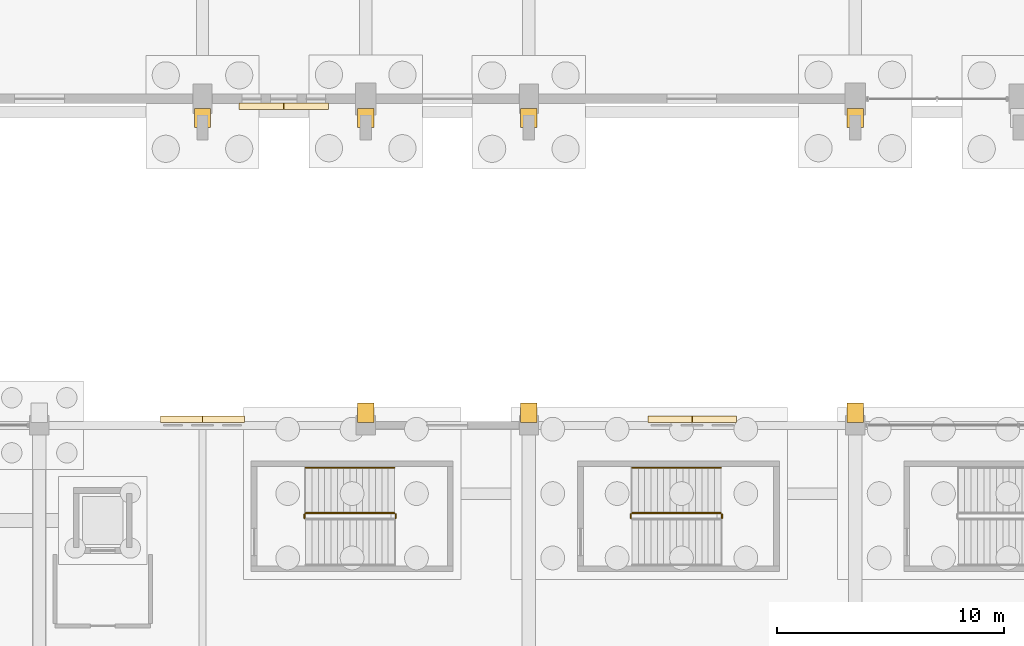
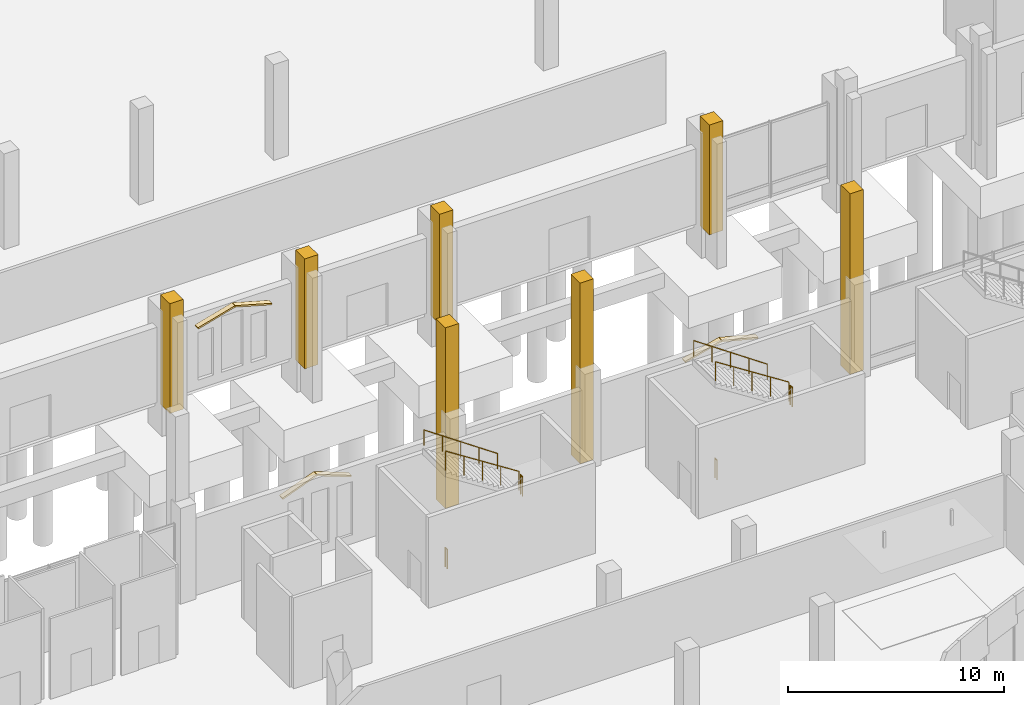
# One storey, part 176 of 192: 13 coverings, 8 railings.
"""IFC4 building model written with IfcOpenShell, lengths in metres."""

import ifcopenshell
import ifcopenshell.guid

model = None  # the IFC model being written
_history = None  # IfcOwnerHistory: only IFC2X3 demands one
_inside = {}  # id of a spatial element -> (the spatial element, [elements in it])
_under = {}  # id of a project, library or spatial element -> (it, [spatial elements below it])
_declared = {}  # id of a project -> (the project, [libraries it declares])
_typed = {}  # id of a type object -> (the type object, [elements of that type])
_made_of = {}  # id of a material, layer set ... -> (it, [elements and type objects made of it])


def new_model(schema):
    """Start an empty IFC model of exactly this schema.

    Asked for "IFC4X3", IfcOpenShell would pick the latest addendum, in which some entities
    have other attributes; the version numbers below select the first issue.
    IFC2X3 requires an IfcOwnerHistory on every rooted entity: one is made here for all.
    """
    global model, _history
    if schema == "IFC4X3":
        model = ifcopenshell.file(schema_version=(4, 3, 0, 0))
    else:
        model = ifcopenshell.file(schema=schema)
    _inside.clear()
    _under.clear()
    _declared.clear()
    _typed.clear()
    _made_of.clear()
    _history = None
    if model.schema == "IFC2X3":
        org = make("IfcOrganization", Name="unknown")
        user = make(
            "IfcPersonAndOrganization",
            ThePerson=make("IfcPerson", FamilyName="unknown"),
            TheOrganization=org,
        )
        app = make(
            "IfcApplication",
            ApplicationDeveloper=org,
            Version="unknown",
            ApplicationFullName="unknown",
            ApplicationIdentifier="unknown",
        )
        _history = make(
            "IfcOwnerHistory",
            OwningUser=user,
            OwningApplication=app,
            ChangeAction="ADDED",
            CreationDate=0,
        )
    return model


def make(cls, **values):
    """One entity of the class cls with the attributes given. An attribute that is None is left unset."""
    return model.create_entity(
        cls, **{name: value for name, value in values.items() if value is not None}
    )


def rooted(cls, **values):
    """An entity with a GlobalId (a new one), such as an element, a storey or a relation."""
    return make(cls, GlobalId=ifcopenshell.guid.new(), OwnerHistory=_history, **values)


def si_unit(unit_type, name, prefix=None):
    """IfcSIUnit, for example si_unit("LENGTHUNIT", "METRE", prefix="MILLI")."""
    return make("IfcSIUnit", UnitType=unit_type, Prefix=prefix, Name=name)


def assignment(units):
    """IfcUnitAssignment: the units of a project."""
    return None if units is None else make("IfcUnitAssignment", Units=units)


def point(xyz):
    """IfcCartesianPoint."""
    return None if xyz is None else make("IfcCartesianPoint", Coordinates=xyz)


def direction(xyz):
    """IfcDirection."""
    return None if xyz is None else make("IfcDirection", DirectionRatios=xyz)


def frame(location, z_axis=None, x_axis=None):
    """IfcAxis2Placement3D, a coordinate frame: its origin and axes. An axis left out is left unset."""
    return make(
        "IfcAxis2Placement3D",
        Location=point(location),
        Axis=direction(z_axis),
        RefDirection=direction(x_axis),
    )


def frame_2d(location, x_axis=None):
    """IfcAxis2Placement2D, a coordinate frame in the plane: its origin and x axis."""
    return make(
        "IfcAxis2Placement2D", Location=point(location), RefDirection=direction(x_axis)
    )


def origin():
    """The frame at (0, 0, 0) with its axes left unset."""
    return frame((0.0, 0.0, 0.0))


def origin_2d():
    """The frame at (0, 0) in the plane with its x axis left unset."""
    return frame_2d((0.0, 0.0))


def place(relative_to, where):
    """IfcLocalPlacement: puts the frame where relative to a parent placement (None: the world)."""
    return make(
        "IfcLocalPlacement", PlacementRelTo=relative_to, RelativePlacement=where
    )


def context(
    kind, dimensions, precision=None, world=None, true_north=None, identifier=None
):
    """IfcGeometricRepresentationContext, for example the 3D "Model" context."""
    return make(
        "IfcGeometricRepresentationContext",
        ContextIdentifier=identifier,
        ContextType=kind,
        CoordinateSpaceDimension=dimensions,
        Precision=precision,
        WorldCoordinateSystem=world,
        TrueNorth=true_north,
    )


def subcontext(parent, identifier, kind, view, scale=None):
    """IfcGeometricRepresentationSubContext, for example "Body" below "Model"."""
    return make(
        "IfcGeometricRepresentationSubContext",
        ContextIdentifier=identifier,
        ContextType=kind,
        ParentContext=parent,
        TargetScale=scale,
        TargetView=view,
    )


def project(units=None, contexts=None):
    """IfcProject with its units and contexts."""
    return rooted(
        "IfcProject",
        Name="project",
        RepresentationContexts=contexts,
        UnitsInContext=assignment(units),
    )


def spatial(cls, under=None, at=None, **own):
    """A site, building, storey or space (cls), placed at a placement, below another one or the project."""
    s = rooted(cls, ObjectPlacement=at, **own)
    if under is not None:
        _under.setdefault(under.id(), (under, []))[1].append(s)
    return s


def polyline(points):
    """IfcPolyline through the points."""
    return make("IfcPolyline", Points=[point(p) for p in points])


def profile(cls, at=None, kind="AREA", **sizes):
    """A parametric profile (cls). Its sizes go by their IFC names, for example OverallWidth=200.0."""
    return make(cls, ProfileType=kind, Position=at, **sizes)


def circle(**sizes):
    """IfcCircleProfileDef."""
    return profile("IfcCircleProfileDef", **sizes)


def outline(outer, holes=None, kind="AREA"):
    """IfcArbitraryClosedProfileDef: a profile drawn as a closed curve; with holes, ...WithVoids."""
    if holes is None:
        return make("IfcArbitraryClosedProfileDef", ProfileType=kind, OuterCurve=outer)
    return make(
        "IfcArbitraryProfileDefWithVoids",
        ProfileType=kind,
        OuterCurve=outer,
        InnerCurves=holes,
    )


def extrude(swept, where, along, depth):
    """IfcExtrudedAreaSolid: the profile swept, set in the frame where, extruded along a direction by depth."""
    return make(
        "IfcExtrudedAreaSolid",
        SweptArea=swept,
        Position=where,
        ExtrudedDirection=direction(along),
        Depth=depth,
    )


def shape(context_of_items, identifier, shape_type, items):
    """IfcShapeRepresentation: the items that make up one representation, for example the "Body"."""
    return make(
        "IfcShapeRepresentation",
        ContextOfItems=context_of_items,
        RepresentationIdentifier=identifier,
        RepresentationType=shape_type,
        Items=items,
    )


def material(Name=None, Category=None):
    """IfcMaterial."""
    return make("IfcMaterial", Name=Name, Category=Category)


def layer(
    of_material, thickness, ventilated=None, Name=None, Category=None, Priority=None
):
    """IfcMaterialLayer: one layer of a wall or slab, of a material (None: an air gap)."""
    return make(
        "IfcMaterialLayer",
        Material=of_material,
        LayerThickness=thickness,
        IsVentilated=ventilated,
        Name=Name,
        Category=Category,
        Priority=Priority,
    )


def layer_set(layers, Name=None):
    """IfcMaterialLayerSet."""
    return make("IfcMaterialLayerSet", MaterialLayers=layers, LayerSetName=Name)


def made_of(thing, what):
    """Note that an element or type object is made of a material, layer set ...; save() writes the relation."""
    if what is not None:
        _made_of.setdefault(what.id(), (what, []))[1].append(thing)
    return thing


def type_object(cls, material=None, **own):
    """A type object (cls), such as IfcWallType, which elements share."""
    return made_of(rooted(cls, **own), material)


def element(
    cls,
    number,
    at=None,
    inside=None,
    cuts=None,
    type_object=None,
    material=None,
    context=None,
    identifier="Body",
    shape_type=None,
    held_by="IfcProductDefinitionShape",
    body=None,
    shapes=None,
    **own,
):
    """One element of the class cls, such as IfcWall. Its Tag is "e" and its number.

    at: its placement. inside: the storey or other place that contains it. cuts: it is an
    opening in that element (IfcRelVoidsElement). A single representation is given by context,
    identifier, shape_type and body (its items); several are given by shapes. held_by: the class
    of the entity that holds the representations. save() writes the other relations.
    """
    e = rooted(cls, Tag="e%d" % number, ObjectPlacement=at, **own)
    if body is not None:
        shapes = [shape(context, identifier, shape_type, body)]
    if shapes is not None:
        e.Representation = make(held_by, Representations=shapes)
    if inside is not None:
        _inside.setdefault(inside.id(), (inside, []))[1].append(e)
    if cuts is not None:
        rooted(
            "IfcRelVoidsElement", RelatingBuildingElement=cuts, RelatedOpeningElement=e
        )
    if type_object is not None:
        _typed.setdefault(type_object.id(), (type_object, []))[1].append(e)
    return made_of(e, material)


def aggregate(whole, parts):
    """IfcRelAggregates: a whole, such as a stair, and the parts it consists of."""
    return rooted("IfcRelAggregates", RelatingObject=whole, RelatedObjects=parts)


def save(model, path):
    """Write the relations noted so far, then the file.

    IfcRelAggregates (storeys below a building ...), IfcRelContainedInSpatialStructure (elements
    in a storey), IfcRelDefinesByType, IfcRelAssociatesMaterial and IfcRelDeclares: one each for
    every whole, place, type object, material and project.
    """
    for whole, parts in _under.values():
        aggregate(whole, parts)
    for where, things in _inside.values():
        rooted(
            "IfcRelContainedInSpatialStructure",
            RelatedElements=things,
            RelatingStructure=where,
        )
    for kind, things in _typed.values():
        rooted("IfcRelDefinesByType", RelatedObjects=things, RelatingType=kind)
    for what, things in _made_of.values():
        rooted("IfcRelAssociatesMaterial", RelatedObjects=things, RelatingMaterial=what)
    for by, libraries in _declared.values():
        rooted("IfcRelDeclares", RelatingContext=by, RelatedDefinitions=libraries)
    model.write(path)


model = new_model("IFC4")

# Units and contexts
model_context = context("Model", 3, precision=1e-05, world=origin(), true_north=direction((0.0, 1.0)))
body_context = subcontext(model_context, "Body", "Model", "MODEL_VIEW")
ifc_project = project(units=[si_unit("LENGTHUNIT", "METRE"), si_unit("AREAUNIT", "SQUARE_METRE"), si_unit("VOLUMEUNIT", "CUBIC_METRE"), si_unit("PLANEANGLEUNIT", "RADIAN"), si_unit("MASSUNIT", "GRAM", prefix="KILO")], contexts=[model_context])

# Site, building, storey
site_placement = place(None, origin())
site = spatial("IfcSite", under=ifc_project, at=site_placement, CompositionType="ELEMENT")
building_placement = place(site_placement, origin())
building = spatial("IfcBuilding", under=site, at=building_placement, Name="Cendralis Lancet Convention Centre", CompositionType="ELEMENT")
storey_placement = place(building_placement, origin())
storey = spatial("IfcBuildingStorey", under=building, at=storey_placement, Name="L00", CompositionType="ELEMENT", Elevation=0.0)

# Coverings
ifc_material_1 = material(Name="Warm buff sandstone chevron cassette", Category="masonry")
ifc_layer = layer(ifc_material_1, 0.06005859375, Name="Warm buff sandstone chevron cassette")
ifc_layer_set = layer_set([ifc_layer], Name="Warm buff sandstone chevron cassette")
covering_type = type_object("IfcCoveringType", Name="ARC-CV-CLAD1", PredefinedType="CLADDING", material=ifc_layer_set)
for number, where, z_axis, x_axis, name in (
    (1, (70.367431640625, 49.929931640625, 3.669921875), (0.271253335702, 0.0, 0.962507988471), (0.0, 1.0, 0.0), "L00 Gothic Pointed Lancet Hood-Mould #0015L"),
    (2, (68.37744140625, 49.929931640625, 4.22509765625), (-0.271253335702, 0.0, 0.962507988471), (0.0, 1.0, 0.0), "L00 Gothic Pointed Lancet Hood-Mould #0016R"),
):
    element("IfcCovering", number, at=place(storey_placement, frame(where, z_axis=z_axis, x_axis=x_axis)), inside=storey, type_object=covering_type, Name=name, PredefinedType="CLADDING", context=body_context, shape_type="SweptSolid", body=[
        extrude(outline(polyline([(0.0, 0.0), (0.28515625, 0.0), (0.28515625, 2.04670582137672), (0.0, 2.04670582137672), (0.0, 0.0)])), origin(), (0.0, 0.0, -1.0), 0.090087890625),
    ])
covering_1_placement = place(storey_placement, origin())
element("IfcCovering", 3, at=covering_1_placement, inside=storey, type_object=covering_type, Name="Gothic Stepped Stone Buttress Base #0015", PredefinedType="CLADDING", context=body_context, shape_type="SweptSolid", body=[
    extrude(outline(polyline([(64.43994140625, 49.1298828125), (65.159912109375, 49.1298828125), (65.159912109375, 49.97998046875), (64.43994140625, 49.97998046875), (64.43994140625, 49.1298828125)])), origin(), (0.0, 0.0, 1.0), 6.199951171875),
])
covering_2_placement = place(storey_placement, origin())
element("IfcCovering", 4, at=covering_2_placement, inside=storey, type_object=covering_type, Name="Gothic Stepped Stone Buttress Base #0017", PredefinedType="CLADDING", context=body_context, shape_type="SweptSolid", body=[
    extrude(outline(polyline([(71.639892578125, 49.1298828125), (72.360107421875, 49.1298828125), (72.360107421875, 49.97998046875), (71.639892578125, 49.97998046875), (71.639892578125, 49.1298828125)])), origin(), (0.0, 0.0, 1.0), 6.199951171875),
])
covering_3_placement = place(storey_placement, origin())
element("IfcCovering", 5, at=covering_3_placement, inside=storey, type_object=covering_type, Name="Gothic Stepped Stone Buttress Base #0019", PredefinedType="CLADDING", context=body_context, shape_type="SweptSolid", body=[
    extrude(outline(polyline([(78.840087890625, 49.1298828125), (79.56005859375, 49.1298828125), (79.56005859375, 49.97998046875), (78.840087890625, 49.97998046875), (78.840087890625, 49.1298828125)])), origin(), (0.0, 0.0, 1.0), 6.199951171875),
])
covering_4_placement = place(storey_placement, origin())
element("IfcCovering", 6, at=covering_4_placement, inside=storey, type_object=covering_type, Name="Gothic Stepped Stone Buttress Base #0021", PredefinedType="CLADDING", context=body_context, shape_type="SweptSolid", body=[
    extrude(outline(polyline([(93.239990234375, 49.1298828125), (93.9599609375, 49.1298828125), (93.9599609375, 49.97998046875), (93.239990234375, 49.97998046875), (93.239990234375, 49.1298828125)])), origin(), (0.0, 0.0, 1.0), 6.199951171875),
])
covering_5_placement = place(storey_placement, frame((62.949951171875, 36.419921875, 3.6201171875), z_axis=(-0.35770014255, 0.0, 0.933836499619), x_axis=(0.0, -1.0, 0.0)))
element("IfcCovering", 7, at=covering_5_placement, inside=storey, type_object=covering_type, Name="L00 Gothic Pointed Lancet Hood-Mould #0227L", PredefinedType="CLADDING", context=body_context, shape_type="SweptSolid", body=[
    extrude(outline(polyline([(0.0, 0.0), (0.284912109375, 0.0), (0.284912109375, 1.9704604514566384), (0.0, 1.9704604514566384), (0.0, 0.0)])), origin(), (0.0, 0.0, -1.0), 0.090087890625),
])
covering_6_placement = place(storey_placement, frame((64.81005859375, 36.419921875, 4.324951171875), z_axis=(0.357741533829, 0.0, 0.9338206439), x_axis=(0.0, -1.0, 0.0)))
element("IfcCovering", 8, at=covering_6_placement, inside=storey, type_object=covering_type, Name="L00 Gothic Pointed Lancet Hood-Mould #0228R", PredefinedType="CLADDING", context=body_context, shape_type="SweptSolid", body=[
    extrude(outline(polyline([(0.0, 0.0), (0.284912109375, 0.0), (0.284912109375, 1.9702324659653745), (0.0, 1.9702324659653745), (0.0, 0.0)])), origin(), (0.0, 0.0, -1.0), 0.090087890625),
])
covering_7_placement = place(storey_placement, frame((84.449951171875, 36.419921875, 3.820068359375), z_axis=(-0.251866568715, 0.0, 0.967761970509), x_axis=(0.0, -1.0, 0.0)))
element("IfcCovering", 9, at=covering_7_placement, inside=storey, type_object=covering_type, Name="L00 Gothic Pointed Lancet Hood-Mould #0229L", PredefinedType="CLADDING", context=body_context, shape_type="SweptSolid", body=[
    extrude(outline(polyline([(0.0, 0.0), (0.284912109375, 0.0), (0.284912109375, 2.0045646195723243), (0.0, 2.0045646195723243), (0.0, 0.0)])), origin(), (0.0, 0.0, -1.0), 0.090087890625),
])
covering_8_placement = place(storey_placement, frame((86.409912109375, 36.419921875, 4.324951171875), z_axis=(0.251836885591, 0.0, 0.967769695256), x_axis=(0.0, -1.0, 0.0)))
element("IfcCovering", 10, at=covering_8_placement, inside=storey, type_object=covering_type, Name="L00 Gothic Pointed Lancet Hood-Mould #0230R", PredefinedType="CLADDING", context=body_context, shape_type="SweptSolid", body=[
    extrude(outline(polyline([(0.0, 0.0), (0.284912109375, 0.0), (0.284912109375, 2.0048008905276733), (0.0, 2.0048008905276733), (0.0, 0.0)])), origin(), (0.0, 0.0, -1.0), 0.090087890625),
])
covering_9_placement = place(storey_placement, origin())
element("IfcCovering", 11, at=covering_9_placement, inside=storey, type_object=covering_type, Name="Gothic Stepped Stone Buttress Base #0072", PredefinedType="CLADDING", context=body_context, shape_type="SweptSolid", body=[
    extrude(outline(polyline([(72.360107421875, 36.97998046875), (71.639892578125, 36.97998046875), (71.639892578125, 36.1298828125), (72.360107421875, 36.1298828125), (72.360107421875, 36.97998046875)])), origin(), (0.0, 0.0, 1.0), 10.199951171875),
])
covering_10_placement = place(storey_placement, origin())
element("IfcCovering", 12, at=covering_10_placement, inside=storey, type_object=covering_type, Name="Gothic Stepped Stone Buttress Base #0073", PredefinedType="CLADDING", context=body_context, shape_type="SweptSolid", body=[
    extrude(outline(polyline([(79.56005859375, 36.97998046875), (78.840087890625, 36.97998046875), (78.840087890625, 36.1298828125), (79.56005859375, 36.1298828125), (79.56005859375, 36.97998046875)])), origin(), (0.0, 0.0, 1.0), 10.199951171875),
])
covering_11_placement = place(storey_placement, origin())
element("IfcCovering", 13, at=covering_11_placement, inside=storey, type_object=covering_type, Name="Gothic Stepped Stone Buttress Base #0074", PredefinedType="CLADDING", context=body_context, shape_type="SweptSolid", body=[
    extrude(outline(polyline([(93.9599609375, 36.97998046875), (93.239990234375, 36.97998046875), (93.239990234375, 36.1298828125), (93.9599609375, 36.1298828125), (93.9599609375, 36.97998046875)])), origin(), (0.0, 0.0, 1.0), 10.199951171875),
])

# Railings
ifc_material_2 = material(Name="Steel S355", Category="steel")
railing_type_1 = type_object("IfcRailingType", Name="ARC-RL-CGD", PredefinedType="GUARDRAIL", material=ifc_material_2)
railing_1_placement = place(storey_placement, frame((73.320068359375, 31.89990234375, 2.699951171875)))
element("IfcRailing", 14, at=railing_1_placement, inside=storey, type_object=railing_type_1, Name="L00 ST-12 stair guard 2", PredefinedType="GUARDRAIL", context=body_context, shape_type="SweptSolid", body=[
    extrude(circle(Radius=0.02392578125, at=origin_2d()), frame((0.0, 0.0, 1.076171875), z_axis=(0.0, 1.0, 0.0), x_axis=(-1.0, 0.0, 0.0)), (0.0, 0.0, 1.0), 0.18017578125),
    extrude(circle(Radius=0.02099609375, at=origin_2d()), origin(), (0.0, 0.0, 1.0), 1.052001953125),
    extrude(circle(Radius=0.02099609375, at=origin_2d()), frame((0.0, 0.18017578125, 0.0)), (0.0, 0.0, 1.0), 1.052001953125),
])
railing_2_placement = place(storey_placement, frame((73.27001953125, 32.1298828125, 2.8798828125)))
element("IfcRailing", 15, at=railing_2_placement, inside=storey, type_object=railing_type_1, Name="L00 ST-12 stair guard 3", PredefinedType="GUARDRAIL", context=body_context, shape_type="SweptSolid", body=[
    extrude(circle(Radius=0.02392578125, at=origin_2d()), frame((0.0, 0.0, 1.076171875), z_axis=(-0.841171666519, 0.0, 0.540768182723), x_axis=(0.0, -1.0, 0.0)), (0.0, 0.0, 1.0), 4.66015625),
    extrude(circle(Radius=0.02099609375, at=origin_2d()), origin(), (0.0, 0.0, 1.0), 1.052001953125),
    extrude(circle(Radius=0.02099609375, at=origin_2d()), frame((-0.97998046875, 0.0, 0.6298828125)), (0.0, 0.0, 1.0), 1.052001953125),
    extrude(circle(Radius=0.02099609375, at=origin_2d()), frame((-1.9599609375, 0.0, 1.260009765625)), (0.0, 0.0, 1.0), 1.052001953125),
    extrude(circle(Radius=0.02099609375, at=origin_2d()), frame((-2.93994140625, 0.0, 1.89013671875)), (0.0, 0.0, 1.0), 1.052001953125),
    extrude(circle(Radius=0.02099609375, at=origin_2d()), frame((-3.919921875, 0.0, 2.52001953125)), (0.0, 0.0, 1.0), 1.052001953125),
])
for number, where, name in (
    (16, (69.300048828125, 31.89990234375, 0.0), "L00 ST-12 stair guard 4"),
    (17, (87.719970703125, 31.89990234375, 2.699951171875), "L00 ST-21 stair guard 2"),
):
    element("IfcRailing", number, at=place(storey_placement, frame(where)), inside=storey, type_object=railing_type_1, Name=name, PredefinedType="GUARDRAIL", context=body_context, shape_type="SweptSolid", body=[
        extrude(circle(Radius=0.02392578125, at=origin_2d()), frame((0.0, 0.0, 1.076171875), z_axis=(0.0, 1.0, 0.0), x_axis=(-1.0, 0.0, 0.0)), (0.0, 0.0, 1.0), 0.18017578125),
        extrude(circle(Radius=0.02099609375, at=origin_2d()), origin(), (0.0, 0.0, 1.0), 1.052001953125),
        extrude(circle(Radius=0.02099609375, at=origin_2d()), frame((0.0, 0.18017578125, 0.0)), (0.0, 0.0, 1.0), 1.052001953125),
    ])
railing_3_placement = place(storey_placement, frame((87.669921875, 32.1298828125, 2.8798828125)))
element("IfcRailing", 18, at=railing_3_placement, inside=storey, type_object=railing_type_1, Name="L00 ST-21 stair guard 3", PredefinedType="GUARDRAIL", context=body_context, shape_type="SweptSolid", body=[
    extrude(circle(Radius=0.02392578125, at=origin_2d()), frame((0.0, 0.0, 1.076171875), z_axis=(-0.841171666519, 0.0, 0.540768182723), x_axis=(0.0, -1.0, 0.0)), (0.0, 0.0, 1.0), 4.66015625),
    extrude(circle(Radius=0.02099609375, at=origin_2d()), origin(), (0.0, 0.0, 1.0), 1.052001953125),
    extrude(circle(Radius=0.02099609375, at=origin_2d()), frame((-0.97998046875, 0.0, 0.6298828125)), (0.0, 0.0, 1.0), 1.052001953125),
    extrude(circle(Radius=0.02099609375, at=origin_2d()), frame((-1.9599609375, 0.0, 1.260009765625)), (0.0, 0.0, 1.0), 1.052001953125),
    extrude(circle(Radius=0.02099609375, at=origin_2d()), frame((-2.93994140625, 0.0, 1.89013671875)), (0.0, 0.0, 1.0), 1.052001953125),
    extrude(circle(Radius=0.02099609375, at=origin_2d()), frame((-3.919921875, 0.0, 2.52001953125)), (0.0, 0.0, 1.0), 1.052001953125),
])
railing_4_placement = place(storey_placement, frame((83.699951171875, 31.89990234375, 0.0)))
element("IfcRailing", 19, at=railing_4_placement, inside=storey, type_object=railing_type_1, Name="L00 ST-21 stair guard 4", PredefinedType="GUARDRAIL", context=body_context, shape_type="SweptSolid", body=[
    extrude(circle(Radius=0.02392578125, at=origin_2d()), frame((0.0, 0.0, 1.076171875), z_axis=(0.0, 1.0, 0.0), x_axis=(-1.0, 0.0, 0.0)), (0.0, 0.0, 1.0), 0.18017578125),
    extrude(circle(Radius=0.02099609375, at=origin_2d()), origin(), (0.0, 0.0, 1.0), 1.052001953125),
    extrude(circle(Radius=0.02099609375, at=origin_2d()), frame((0.0, 0.18017578125, 0.0)), (0.0, 0.0, 1.0), 1.052001953125),
])
railing_type_2 = type_object("IfcRailingType", Name="ARC-RL-CHR", PredefinedType="HANDRAIL", material=ifc_material_2)
for number, where, name in (
    (20, (73.27001953125, 34.1298828125, 2.8798828125), "L00 ST-12 stair handrail 2"),
    (21, (87.669921875, 34.1298828125, 2.8798828125), "L00 ST-21 stair handrail 2"),
):
    element("IfcRailing", number, at=place(storey_placement, frame(where)), inside=storey, type_object=railing_type_2, Name=name, PredefinedType="HANDRAIL", context=body_context, shape_type="SweptSolid", body=[
        extrude(circle(Radius=0.02392578125, at=origin_2d()), frame((0.0, 0.0, 0.8759765625), z_axis=(-0.823526770215, 0.0, 0.56727740898), x_axis=(0.0, -1.0, 0.0)), (0.0, 0.0, 1.0), 4.760009765625),
        extrude(circle(Radius=0.02099609375, at=origin_2d()), origin(), (0.0, 0.0, 1.0), 0.851806640625),
        extrude(circle(Radius=0.02099609375, at=origin_2d()), frame((-0.97998046875, 0.0, 0.675048828125)), (0.0, 0.0, 1.0), 0.851806640625),
        extrude(circle(Radius=0.02099609375, at=origin_2d()), frame((-1.9599609375, 0.0, 1.35009765625)), (0.0, 0.0, 1.0), 0.851806640625),
        extrude(circle(Radius=0.02099609375, at=origin_2d()), frame((-2.93994140625, 0.0, 2.025146484375)), (0.0, 0.0, 1.0), 0.851806640625),
        extrude(circle(Radius=0.02099609375, at=origin_2d()), frame((-3.919921875, 0.0, 2.7001953125)), (0.0, 0.0, 1.0), 0.851806640625),
    ])

save(model, "model.ifc")
